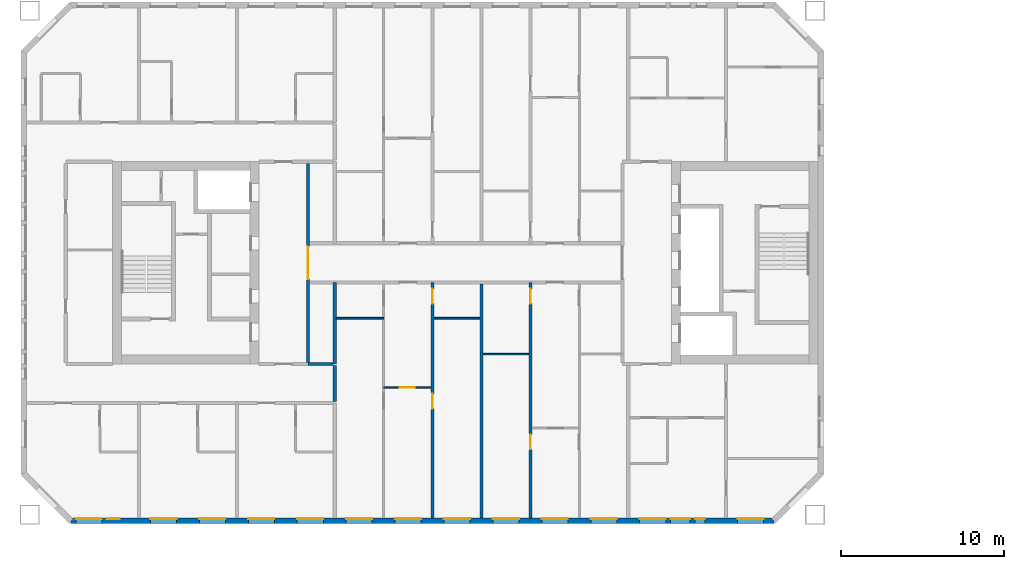
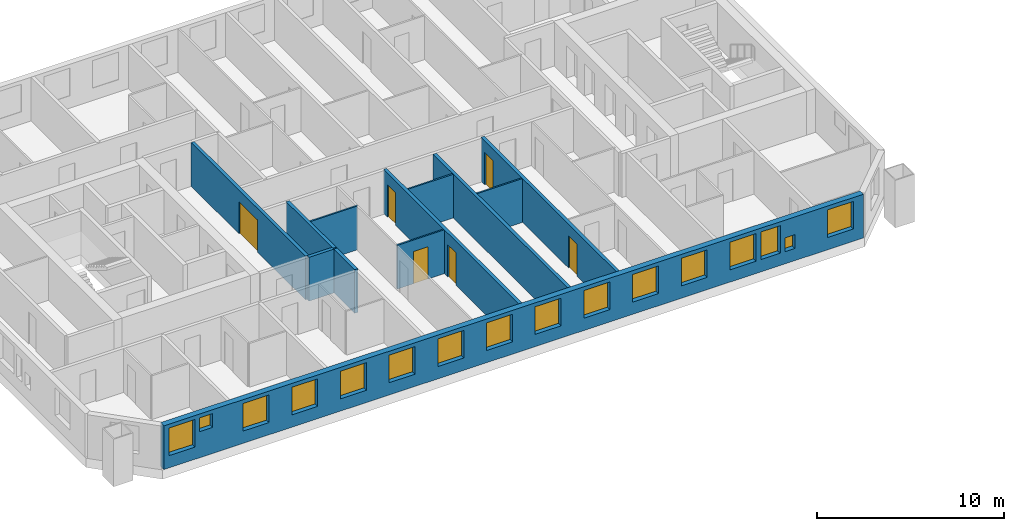
# One storey, part 4 of 17: 16 windows, 12 walls, 6 doors, 22 openings.
"""IFC4 building model written with IfcOpenShell, lengths in metres."""

from ifc_helpers import new_model, si_unit, direction, frame, frame_2d, origin, place, context, subcontext, project, spatial, rectangle, extrude, material, layer, layer_set, type_object, element, fill, save


model = new_model("IFC4")

# Units and contexts
model_context = context("Model", 3, precision=1e-05, world=origin(), true_north=direction((0.0, 1.0)))
body_context = subcontext(model_context, "Body", "Model", "MODEL_VIEW")
ifc_project = project(units=[si_unit("LENGTHUNIT", "METRE"), si_unit("AREAUNIT", "SQUARE_METRE"), si_unit("VOLUMEUNIT", "CUBIC_METRE"), si_unit("PLANEANGLEUNIT", "RADIAN"), si_unit("MASSUNIT", "GRAM", prefix="KILO")], contexts=[model_context])

# Site, building, storey
site_placement = place(None, origin())
site = spatial("IfcSite", under=ifc_project, at=site_placement, CompositionType="ELEMENT")
building_placement = place(site_placement, origin())
building = spatial("IfcBuilding", under=site, at=building_placement, Name="Tuart Gate Housing", CompositionType="ELEMENT")
storey_placement = place(building_placement, frame((0.0, 0.0, 123.699951171875)))
storey = spatial("IfcBuildingStorey", under=building, at=storey_placement, Name="L34", CompositionType="ELEMENT", Elevation=123.699951171875)

# Wall, openings, windows
ifc_material_1 = material(Name="Brick", Category="masonry")
ifc_layer_1 = layer(ifc_material_1, 0.360107421875)
ifc_layer_set_1 = layer_set([ifc_layer_1], Name="Brick pier and spandrel wall 360")
wall_type_1 = type_object("IfcWallType", Name="Brick pier and spandrel wall 360", PredefinedType="STANDARD", material=ifc_layer_set_1)
wall_1_placement = place(storey_placement, frame((29.82470703125, 54.179931640625, 0.0), z_axis=(0.0, 0.0, 1.0), x_axis=(1.0, 0.0, 0.0)))
wall_1 = element("IfcWall", 1, at=wall_1_placement, inside=storey, type_object=wall_type_1, Name="External wall A-S L34", PredefinedType="STANDARD", context=body_context, shape_type="SweptSolid", body=[
    extrude(rectangle(XDim=43.100830078125, YDim=0.360107421875, at=frame_2d((21.55029296875, 0.0))), origin(), (0.0, 0.0, 1.0), 2.85009765625),
])
opening_1_placement = place(wall_1_placement, frame((0.300048828125, 0.0, 0.800048828125)))
opening_1 = element("IfcOpeningElement", 2, at=opening_1_placement, cuts=wall_1, Name="Opening W1", PredefinedType="OPENING", context=body_context, shape_type="SweptSolid", body=[
    extrude(rectangle(XDim=1.60009765625, YDim=1.800048828125, at=frame_2d((0.800048828125, 0.89990234375))), frame((0.0, 0.18994140625, 0.0), z_axis=(0.0, -1.0, 0.0), x_axis=(1.0, 0.0, 0.0)), (0.0, 0.0, 1.0), 0.380126953125),
])
opening_2_placement = place(wall_1_placement, frame((4.87548828125, 0.0, 0.800048828125)))
opening_2 = element("IfcOpeningElement", 3, at=opening_2_placement, cuts=wall_1, Name="Opening W1", PredefinedType="OPENING", context=body_context, shape_type="SweptSolid", body=[
    extrude(rectangle(XDim=1.60009765625, YDim=1.800048828125, at=frame_2d((0.800048828125, 0.89990234375))), frame((0.0, 0.18994140625, 0.0), z_axis=(0.0, -1.0, 0.0), x_axis=(1.0, 0.0, 0.0)), (0.0, 0.0, 1.0), 0.380126953125),
])
opening_3_placement = place(wall_1_placement, frame((7.87548828125, 0.0, 0.800048828125)))
opening_3 = element("IfcOpeningElement", 4, at=opening_3_placement, cuts=wall_1, Name="Opening W1", PredefinedType="OPENING", context=body_context, shape_type="SweptSolid", body=[
    extrude(rectangle(XDim=1.60009765625, YDim=1.800048828125, at=frame_2d((0.800048828125, 0.89990234375))), frame((0.0, 0.18994140625, 0.0), z_axis=(0.0, -1.0, 0.0), x_axis=(1.0, 0.0, 0.0)), (0.0, 0.0, 1.0), 0.380126953125),
])
opening_4_placement = place(wall_1_placement, frame((10.87548828125, 0.0, 0.800048828125)))
opening_4 = element("IfcOpeningElement", 5, at=opening_4_placement, cuts=wall_1, Name="Opening W1", PredefinedType="OPENING", context=body_context, shape_type="SweptSolid", body=[
    extrude(rectangle(XDim=1.60009765625, YDim=1.800048828125, at=frame_2d((0.800048828125, 0.89990234375))), frame((0.0, 0.18994140625, 0.0), z_axis=(0.0, -1.0, 0.0), x_axis=(1.0, 0.0, 0.0)), (0.0, 0.0, 1.0), 0.380126953125),
])
opening_5_placement = place(wall_1_placement, frame((13.87548828125, 0.0, 0.800048828125)))
opening_5 = element("IfcOpeningElement", 6, at=opening_5_placement, cuts=wall_1, Name="Opening W1", PredefinedType="OPENING", context=body_context, shape_type="SweptSolid", body=[
    extrude(rectangle(XDim=1.60009765625, YDim=1.800048828125, at=frame_2d((0.800048828125, 0.89990234375))), frame((0.0, 0.18994140625, 0.0), z_axis=(0.0, -1.0, 0.0), x_axis=(1.0, 0.0, 0.0)), (0.0, 0.0, 1.0), 0.380126953125),
])
opening_6_placement = place(wall_1_placement, frame((16.87548828125, 0.0, 0.800048828125)))
opening_6 = element("IfcOpeningElement", 7, at=opening_6_placement, cuts=wall_1, Name="Opening W1", PredefinedType="OPENING", context=body_context, shape_type="SweptSolid", body=[
    extrude(rectangle(XDim=1.60009765625, YDim=1.800048828125, at=frame_2d((0.800048828125, 0.89990234375))), frame((0.0, 0.18994140625, 0.0), z_axis=(0.0, -1.0, 0.0), x_axis=(1.0, 0.0, 0.0)), (0.0, 0.0, 1.0), 0.380126953125),
])
opening_7_placement = place(wall_1_placement, frame((19.87548828125, 0.0, 0.800048828125)))
opening_7 = element("IfcOpeningElement", 8, at=opening_7_placement, cuts=wall_1, Name="Opening W1", PredefinedType="OPENING", context=body_context, shape_type="SweptSolid", body=[
    extrude(rectangle(XDim=1.60009765625, YDim=1.800048828125, at=frame_2d((0.800048828125, 0.89990234375))), frame((0.0, 0.18994140625, 0.0), z_axis=(0.0, -1.0, 0.0), x_axis=(1.0, 0.0, 0.0)), (0.0, 0.0, 1.0), 0.380126953125),
])
opening_8_placement = place(wall_1_placement, frame((22.87548828125, 0.0, 0.800048828125)))
opening_8 = element("IfcOpeningElement", 9, at=opening_8_placement, cuts=wall_1, Name="Opening W1", PredefinedType="OPENING", context=body_context, shape_type="SweptSolid", body=[
    extrude(rectangle(XDim=1.60009765625, YDim=1.800048828125, at=frame_2d((0.800048828125, 0.89990234375))), frame((0.0, 0.18994140625, 0.0), z_axis=(0.0, -1.0, 0.0), x_axis=(1.0, 0.0, 0.0)), (0.0, 0.0, 1.0), 0.380126953125),
])
opening_9_placement = place(wall_1_placement, frame((25.87548828125, 0.0, 0.800048828125)))
opening_9 = element("IfcOpeningElement", 10, at=opening_9_placement, cuts=wall_1, Name="Opening W1", PredefinedType="OPENING", context=body_context, shape_type="SweptSolid", body=[
    extrude(rectangle(XDim=1.60009765625, YDim=1.800048828125, at=frame_2d((0.800048828125, 0.89990234375))), frame((0.0, 0.18994140625, 0.0), z_axis=(0.0, -1.0, 0.0), x_axis=(1.0, 0.0, 0.0)), (0.0, 0.0, 1.0), 0.380126953125),
])
opening_10_placement = place(wall_1_placement, frame((28.87548828125, 0.0, 0.800048828125)))
opening_10 = element("IfcOpeningElement", 11, at=opening_10_placement, cuts=wall_1, Name="Opening W1", PredefinedType="OPENING", context=body_context, shape_type="SweptSolid", body=[
    extrude(rectangle(XDim=1.60009765625, YDim=1.800048828125, at=frame_2d((0.800048828125, 0.89990234375))), frame((0.0, 0.18994140625, 0.0), z_axis=(0.0, -1.0, 0.0), x_axis=(1.0, 0.0, 0.0)), (0.0, 0.0, 1.0), 0.380126953125),
])
opening_11_placement = place(wall_1_placement, frame((31.87548828125, 0.0, 0.800048828125)))
opening_11 = element("IfcOpeningElement", 12, at=opening_11_placement, cuts=wall_1, Name="Opening W1", PredefinedType="OPENING", context=body_context, shape_type="SweptSolid", body=[
    extrude(rectangle(XDim=1.60009765625, YDim=1.800048828125, at=frame_2d((0.800048828125, 0.89990234375))), frame((0.0, 0.18994140625, 0.0), z_axis=(0.0, -1.0, 0.0), x_axis=(1.0, 0.0, 0.0)), (0.0, 0.0, 1.0), 0.380126953125),
])
opening_12_placement = place(wall_1_placement, frame((34.87548828125, 0.0, 0.800048828125)))
opening_12 = element("IfcOpeningElement", 13, at=opening_12_placement, cuts=wall_1, Name="Opening W1", PredefinedType="OPENING", context=body_context, shape_type="SweptSolid", body=[
    extrude(rectangle(XDim=1.60009765625, YDim=1.800048828125, at=frame_2d((0.800048828125, 0.89990234375))), frame((0.0, 0.18994140625, 0.0), z_axis=(0.0, -1.0, 0.0), x_axis=(1.0, 0.0, 0.0)), (0.0, 0.0, 1.0), 0.380126953125),
])
opening_13_placement = place(wall_1_placement, frame((36.775390625, 0.0, 0.800048828125)))
opening_13 = element("IfcOpeningElement", 14, at=opening_13_placement, cuts=wall_1, Name="Opening W1B", PredefinedType="OPENING", context=body_context, shape_type="SweptSolid", body=[
    extrude(rectangle(XDim=1.199951171875, YDim=1.800048828125, at=frame_2d((0.60009765625, 0.89990234375))), frame((0.0, 0.18994140625, 0.0), z_axis=(0.0, -1.0, 0.0), x_axis=(1.0, 0.0, 0.0)), (0.0, 0.0, 1.0), 0.380126953125),
])
opening_14_placement = place(wall_1_placement, frame((40.87548828125, 0.0, 0.800048828125)))
opening_14 = element("IfcOpeningElement", 15, at=opening_14_placement, cuts=wall_1, Name="Opening W1", PredefinedType="OPENING", context=body_context, shape_type="SweptSolid", body=[
    extrude(rectangle(XDim=1.60009765625, YDim=1.800048828125, at=frame_2d((0.800048828125, 0.89990234375))), frame((0.0, 0.18994140625, 0.0), z_axis=(0.0, -1.0, 0.0), x_axis=(1.0, 0.0, 0.0)), (0.0, 0.0, 1.0), 0.380126953125),
])
opening_15_placement = place(wall_1_placement, frame((2.199951171875, 0.0, 1.699951171875)))
opening_15 = element("IfcOpeningElement", 16, at=opening_15_placement, cuts=wall_1, Name="Opening W1V", PredefinedType="OPENING", context=body_context, shape_type="SweptSolid", body=[
    extrude(rectangle(XDim=0.800048828125, YDim=0.89990234375, at=frame_2d((0.39990234375, 0.449951171875))), frame((0.0, 0.18994140625, 0.0), z_axis=(0.0, -1.0, 0.0), x_axis=(1.0, 0.0, 0.0)), (0.0, 0.0, 1.0), 0.380126953125),
])
opening_16_placement = place(wall_1_placement, frame((38.275390625, 0.0, 0.800048828125)))
opening_16 = element("IfcOpeningElement", 17, at=opening_16_placement, cuts=wall_1, Name="Opening W1W", PredefinedType="OPENING", context=body_context, shape_type="SweptSolid", body=[
    extrude(rectangle(XDim=0.60009765625, YDim=0.89990234375, at=frame_2d((0.300048828125, 0.449951171875))), frame((0.0, 0.18994140625, 0.0), z_axis=(0.0, -1.0, 0.0), x_axis=(1.0, 0.0, 0.0)), (0.0, 0.0, 1.0), 0.380126953125),
])
ifc_material_2 = material(Name="Aluminium frame with clear glass", Category="aluminium")
window_type_1 = type_object("IfcWindowType", Name="Punched window 1200 x 1800", PartitioningType="SINGLE_PANEL", PredefinedType="WINDOW", material=ifc_material_2)
window_1_placement = place(opening_13_placement, origin())
window_1 = element("IfcWindow", 18, at=window_1_placement, inside=storey, type_object=window_type_1, Name="Window W1B", OverallHeight=1.800048828125, OverallWidth=1.199951171875, PartitioningType="SINGLE_PANEL", PredefinedType="WINDOW", context=body_context, shape_type="SweptSolid", body=[
    extrude(rectangle(XDim=1.199951171875, YDim=1.800048828125, at=frame_2d((0.60009765625, 0.89990234375))), frame((0.0, 0.150146484375, 0.0), z_axis=(0.0, -1.0, 0.0), x_axis=(1.0, 0.0, 0.0)), (0.0, 0.0, 1.0), 0.06005859375),
])
fill(opening_13, window_1)
ifc_material_3 = material(Name="Aluminium frame with clear glass", Category="aluminium")
window_type_2 = type_object("IfcWindowType", Name="Punched window 1600 x 1800", PartitioningType="SINGLE_PANEL", PredefinedType="WINDOW", material=ifc_material_3)
window_2_placement = place(opening_1_placement, origin())
window_2 = element("IfcWindow", 19, at=window_2_placement, inside=storey, type_object=window_type_2, Name="Window W1", OverallHeight=1.800048828125, OverallWidth=1.60009765625, PartitioningType="SINGLE_PANEL", PredefinedType="WINDOW", context=body_context, shape_type="SweptSolid", body=[
    extrude(rectangle(XDim=1.60009765625, YDim=1.800048828125, at=frame_2d((0.800048828125, 0.89990234375))), frame((0.0, 0.150146484375, 0.0), z_axis=(0.0, -1.0, 0.0), x_axis=(1.0, 0.0, 0.0)), (0.0, 0.0, 1.0), 0.06005859375),
])
fill(opening_1, window_2)
window_3_placement = place(opening_2_placement, origin())
window_3 = element("IfcWindow", 20, at=window_3_placement, inside=storey, type_object=window_type_2, Name="Window W1", OverallHeight=1.800048828125, OverallWidth=1.60009765625, PartitioningType="SINGLE_PANEL", PredefinedType="WINDOW", context=body_context, shape_type="SweptSolid", body=[
    extrude(rectangle(XDim=1.60009765625, YDim=1.800048828125, at=frame_2d((0.800048828125, 0.89990234375))), frame((0.0, 0.150146484375, 0.0), z_axis=(0.0, -1.0, 0.0), x_axis=(1.0, 0.0, 0.0)), (0.0, 0.0, 1.0), 0.06005859375),
])
fill(opening_2, window_3)
window_4_placement = place(opening_3_placement, origin())
window_4 = element("IfcWindow", 21, at=window_4_placement, inside=storey, type_object=window_type_2, Name="Window W1", OverallHeight=1.800048828125, OverallWidth=1.60009765625, PartitioningType="SINGLE_PANEL", PredefinedType="WINDOW", context=body_context, shape_type="SweptSolid", body=[
    extrude(rectangle(XDim=1.60009765625, YDim=1.800048828125, at=frame_2d((0.800048828125, 0.89990234375))), frame((0.0, 0.150146484375, 0.0), z_axis=(0.0, -1.0, 0.0), x_axis=(1.0, 0.0, 0.0)), (0.0, 0.0, 1.0), 0.06005859375),
])
fill(opening_3, window_4)
window_5_placement = place(opening_4_placement, origin())
window_5 = element("IfcWindow", 22, at=window_5_placement, inside=storey, type_object=window_type_2, Name="Window W1", OverallHeight=1.800048828125, OverallWidth=1.60009765625, PartitioningType="SINGLE_PANEL", PredefinedType="WINDOW", context=body_context, shape_type="SweptSolid", body=[
    extrude(rectangle(XDim=1.60009765625, YDim=1.800048828125, at=frame_2d((0.800048828125, 0.89990234375))), frame((0.0, 0.150146484375, 0.0), z_axis=(0.0, -1.0, 0.0), x_axis=(1.0, 0.0, 0.0)), (0.0, 0.0, 1.0), 0.06005859375),
])
fill(opening_4, window_5)
window_6_placement = place(opening_5_placement, origin())
window_6 = element("IfcWindow", 23, at=window_6_placement, inside=storey, type_object=window_type_2, Name="Window W1", OverallHeight=1.800048828125, OverallWidth=1.60009765625, PartitioningType="SINGLE_PANEL", PredefinedType="WINDOW", context=body_context, shape_type="SweptSolid", body=[
    extrude(rectangle(XDim=1.60009765625, YDim=1.800048828125, at=frame_2d((0.800048828125, 0.89990234375))), frame((0.0, 0.150146484375, 0.0), z_axis=(0.0, -1.0, 0.0), x_axis=(1.0, 0.0, 0.0)), (0.0, 0.0, 1.0), 0.06005859375),
])
fill(opening_5, window_6)
window_7_placement = place(opening_6_placement, origin())
window_7 = element("IfcWindow", 24, at=window_7_placement, inside=storey, type_object=window_type_2, Name="Window W1", OverallHeight=1.800048828125, OverallWidth=1.60009765625, PartitioningType="SINGLE_PANEL", PredefinedType="WINDOW", context=body_context, shape_type="SweptSolid", body=[
    extrude(rectangle(XDim=1.60009765625, YDim=1.800048828125, at=frame_2d((0.800048828125, 0.89990234375))), frame((0.0, 0.150146484375, 0.0), z_axis=(0.0, -1.0, 0.0), x_axis=(1.0, 0.0, 0.0)), (0.0, 0.0, 1.0), 0.06005859375),
])
fill(opening_6, window_7)
window_8_placement = place(opening_7_placement, origin())
window_8 = element("IfcWindow", 25, at=window_8_placement, inside=storey, type_object=window_type_2, Name="Window W1", OverallHeight=1.800048828125, OverallWidth=1.60009765625, PartitioningType="SINGLE_PANEL", PredefinedType="WINDOW", context=body_context, shape_type="SweptSolid", body=[
    extrude(rectangle(XDim=1.60009765625, YDim=1.800048828125, at=frame_2d((0.800048828125, 0.89990234375))), frame((0.0, 0.150146484375, 0.0), z_axis=(0.0, -1.0, 0.0), x_axis=(1.0, 0.0, 0.0)), (0.0, 0.0, 1.0), 0.06005859375),
])
fill(opening_7, window_8)
window_9_placement = place(opening_8_placement, origin())
window_9 = element("IfcWindow", 26, at=window_9_placement, inside=storey, type_object=window_type_2, Name="Window W1", OverallHeight=1.800048828125, OverallWidth=1.60009765625, PartitioningType="SINGLE_PANEL", PredefinedType="WINDOW", context=body_context, shape_type="SweptSolid", body=[
    extrude(rectangle(XDim=1.60009765625, YDim=1.800048828125, at=frame_2d((0.800048828125, 0.89990234375))), frame((0.0, 0.150146484375, 0.0), z_axis=(0.0, -1.0, 0.0), x_axis=(1.0, 0.0, 0.0)), (0.0, 0.0, 1.0), 0.06005859375),
])
fill(opening_8, window_9)
window_10_placement = place(opening_9_placement, origin())
window_10 = element("IfcWindow", 27, at=window_10_placement, inside=storey, type_object=window_type_2, Name="Window W1", OverallHeight=1.800048828125, OverallWidth=1.60009765625, PartitioningType="SINGLE_PANEL", PredefinedType="WINDOW", context=body_context, shape_type="SweptSolid", body=[
    extrude(rectangle(XDim=1.60009765625, YDim=1.800048828125, at=frame_2d((0.800048828125, 0.89990234375))), frame((0.0, 0.150146484375, 0.0), z_axis=(0.0, -1.0, 0.0), x_axis=(1.0, 0.0, 0.0)), (0.0, 0.0, 1.0), 0.06005859375),
])
fill(opening_9, window_10)
window_11_placement = place(opening_10_placement, origin())
window_11 = element("IfcWindow", 28, at=window_11_placement, inside=storey, type_object=window_type_2, Name="Window W1", OverallHeight=1.800048828125, OverallWidth=1.60009765625, PartitioningType="SINGLE_PANEL", PredefinedType="WINDOW", context=body_context, shape_type="SweptSolid", body=[
    extrude(rectangle(XDim=1.60009765625, YDim=1.800048828125, at=frame_2d((0.800048828125, 0.89990234375))), frame((0.0, 0.150146484375, 0.0), z_axis=(0.0, -1.0, 0.0), x_axis=(1.0, 0.0, 0.0)), (0.0, 0.0, 1.0), 0.06005859375),
])
fill(opening_10, window_11)
window_12_placement = place(opening_11_placement, origin())
window_12 = element("IfcWindow", 29, at=window_12_placement, inside=storey, type_object=window_type_2, Name="Window W1", OverallHeight=1.800048828125, OverallWidth=1.60009765625, PartitioningType="SINGLE_PANEL", PredefinedType="WINDOW", context=body_context, shape_type="SweptSolid", body=[
    extrude(rectangle(XDim=1.60009765625, YDim=1.800048828125, at=frame_2d((0.800048828125, 0.89990234375))), frame((0.0, 0.150146484375, 0.0), z_axis=(0.0, -1.0, 0.0), x_axis=(1.0, 0.0, 0.0)), (0.0, 0.0, 1.0), 0.06005859375),
])
fill(opening_11, window_12)
window_13_placement = place(opening_12_placement, origin())
window_13 = element("IfcWindow", 30, at=window_13_placement, inside=storey, type_object=window_type_2, Name="Window W1", OverallHeight=1.800048828125, OverallWidth=1.60009765625, PartitioningType="SINGLE_PANEL", PredefinedType="WINDOW", context=body_context, shape_type="SweptSolid", body=[
    extrude(rectangle(XDim=1.60009765625, YDim=1.800048828125, at=frame_2d((0.800048828125, 0.89990234375))), frame((0.0, 0.150146484375, 0.0), z_axis=(0.0, -1.0, 0.0), x_axis=(1.0, 0.0, 0.0)), (0.0, 0.0, 1.0), 0.06005859375),
])
fill(opening_12, window_13)
window_14_placement = place(opening_14_placement, origin())
window_14 = element("IfcWindow", 31, at=window_14_placement, inside=storey, type_object=window_type_2, Name="Window W1", OverallHeight=1.800048828125, OverallWidth=1.60009765625, PartitioningType="SINGLE_PANEL", PredefinedType="WINDOW", context=body_context, shape_type="SweptSolid", body=[
    extrude(rectangle(XDim=1.60009765625, YDim=1.800048828125, at=frame_2d((0.800048828125, 0.89990234375))), frame((0.0, 0.150146484375, 0.0), z_axis=(0.0, -1.0, 0.0), x_axis=(1.0, 0.0, 0.0)), (0.0, 0.0, 1.0), 0.06005859375),
])
fill(opening_14, window_14)
ifc_material_4 = material(Name="Aluminium frame with clear glass", Category="aluminium")
window_type_3 = type_object("IfcWindowType", Name="Punched window 600 x 900", PartitioningType="SINGLE_PANEL", PredefinedType="WINDOW", material=ifc_material_4)
window_15_placement = place(opening_16_placement, origin())
window_15 = element("IfcWindow", 32, at=window_15_placement, inside=storey, type_object=window_type_3, Name="Window W1W", OverallHeight=0.89990234375, OverallWidth=0.60009765625, PartitioningType="SINGLE_PANEL", PredefinedType="WINDOW", context=body_context, shape_type="SweptSolid", body=[
    extrude(rectangle(XDim=0.60009765625, YDim=0.89990234375, at=frame_2d((0.300048828125, 0.449951171875))), frame((0.0, 0.150146484375, 0.0), z_axis=(0.0, -1.0, 0.0), x_axis=(1.0, 0.0, 0.0)), (0.0, 0.0, 1.0), 0.06005859375),
])
fill(opening_16, window_15)
ifc_material_5 = material(Name="Aluminium frame with clear glass", Category="aluminium")
window_type_4 = type_object("IfcWindowType", Name="Punched window 800 x 900", PartitioningType="SINGLE_PANEL", PredefinedType="WINDOW", material=ifc_material_5)
window_16_placement = place(opening_15_placement, origin())
window_16 = element("IfcWindow", 33, at=window_16_placement, inside=storey, type_object=window_type_4, Name="Window W1V", OverallHeight=0.89990234375, OverallWidth=0.800048828125, PartitioningType="SINGLE_PANEL", PredefinedType="WINDOW", context=body_context, shape_type="SweptSolid", body=[
    extrude(rectangle(XDim=0.800048828125, YDim=0.89990234375, at=frame_2d((0.39990234375, 0.449951171875))), frame((0.0, 0.150146484375, 0.0), z_axis=(0.0, -1.0, 0.0), x_axis=(1.0, 0.0, 0.0)), (0.0, 0.0, 1.0), 0.06005859375),
])
fill(opening_15, window_16)

# Walls
ifc_material_6 = material(Name="Concrete masonry 15 MPa", Category="masonry")
ifc_layer_2 = layer(ifc_material_6, 0.199951171875)
ifc_layer_set_2 = layer_set([ifc_layer_2], Name="Corridor wall masonry 200")
wall_type_2 = type_object("IfcWallType", Name="Corridor wall masonry 200", PredefinedType="PARTITIONING", material=ifc_layer_set_2)
wall_2_placement = place(storey_placement, frame((44.360107421875, 63.800048828125, 0.0), z_axis=(0.0, 0.0, 1.0), x_axis=(1.0, 0.0, 0.0)))
element("IfcWall", 34, at=wall_2_placement, inside=storey, type_object=wall_type_2, Name="Corridor wall masonry 200", PredefinedType="PARTITIONING", context=body_context, shape_type="SweptSolid", body=[
    extrude(rectangle(XDim=1.539794921875, YDim=0.199951171875, at=frame_2d((0.77001953125, 0.0))), origin(), (0.0, 0.0, 1.0), 2.85009765625),
])
wall_3_placement = place(storey_placement, frame((46.0, 61.5, 0.0), z_axis=(0.0, 0.0, 1.0), x_axis=(0.0, 1.0, 0.0)))
element("IfcWall", 35, at=wall_3_placement, inside=storey, type_object=wall_type_2, Name="Corridor wall masonry 200", PredefinedType="PARTITIONING", context=body_context, shape_type="SweptSolid", body=[
    extrude(rectangle(XDim=2.199951171875, YDim=0.199951171875, at=frame_2d((1.10009765625, 0.0))), origin(), (0.0, 0.0, 1.0), 2.85009765625),
])

# Wall, opening, door
ifc_material_7 = material(Name="Plasterboard partition")
ifc_layer_3 = layer(ifc_material_7, 0.199951171875)
ifc_layer_set_3 = layer_set([ifc_layer_3], Name="Lobby wall 200")
wall_type_3 = type_object("IfcWallType", Name="Lobby wall 200", PredefinedType="PARTITIONING", material=ifc_layer_set_3)
wall_4_placement = place(storey_placement, frame((44.360107421875, 63.89990234375, 0.0), z_axis=(0.0, 0.0, 1.0), x_axis=(0.0, 1.0, 0.0)))
wall_4 = element("IfcWall", 36, at=wall_4_placement, inside=storey, type_object=wall_type_3, Name="Lift lobby wall AK", PredefinedType="PARTITIONING", context=body_context, shape_type="SweptSolid", body=[
    extrude(rectangle(XDim=12.2001953125, YDim=0.199951171875, at=frame_2d((6.10009765625, 0.0))), origin(), (0.0, 0.0, 1.0), 2.85009765625),
])
opening_17_placement = place(wall_4_placement, frame((5.10009765625, 0.0, 0.0)))
opening_17 = element("IfcOpeningElement", 37, at=opening_17_placement, cuts=wall_4, Name="Opening D1322", PredefinedType="OPENING", context=body_context, shape_type="SweptSolid", body=[
    extrude(rectangle(XDim=2.0, YDim=2.10009765625, at=frame_2d((1.0, 1.050048828125))), frame((0.0, 0.10986328125, 0.0), z_axis=(0.0, -1.0, 0.0), x_axis=(1.0, 0.0, 0.0)), (0.0, 0.0, 1.0), 0.219970703125),
])
ifc_material_8 = material(Name="Steel fire door", Category="steel")
door_type_1 = type_object("IfcDoorType", Name="Smoke door 2000 x 2100", OperationType="DOUBLE_DOOR_SINGLE_SWING", PredefinedType="DOOR", material=ifc_material_8)
door_1_placement = place(opening_17_placement, origin())
door_1 = element("IfcDoor", 38, at=door_1_placement, inside=storey, type_object=door_type_1, Name="Lift lobby smoke door AK", OperationType="DOUBLE_DOOR_SINGLE_SWING", OverallHeight=2.10009765625, OverallWidth=2.0, PredefinedType="DOOR", context=body_context, shape_type="SweptSolid", body=[
    extrude(rectangle(XDim=2.0, YDim=2.10009765625, at=frame_2d((1.0, 1.050048828125))), frame((0.0, 0.02490234375, 0.0), z_axis=(0.0, -1.0, 0.0), x_axis=(1.0, 0.0, 0.0)), (0.0, 0.0, 1.0), 0.050048828125),
])
fill(opening_17, door_1)

ifc_material_9 = material(Name="Gypsum board on steel studs", Category="steel")
ifc_layer_4 = layer(ifc_material_9, 0.10009765625)
ifc_layer_set_4 = layer_set([ifc_layer_4], Name="Partition 100")
wall_type_4 = type_object("IfcWallType", Name="Partition 100", PredefinedType="PARTITIONING", material=ifc_layer_set_4)
wall_5_placement = place(storey_placement, frame((49.0, 62.360107421875, 0.0), z_axis=(0.0, 0.0, 1.0), x_axis=(1.0, 0.0, 0.0)))
wall_5 = element("IfcWall", 39, at=wall_5_placement, inside=storey, type_object=wall_type_4, Name="Partition 100", PredefinedType="PARTITIONING", context=body_context, shape_type="SweptSolid", body=[
    extrude(rectangle(XDim=2.89990234375, YDim=0.10009765625, at=frame_2d((1.449951171875, 0.0))), origin(), (0.0, 0.0, 1.0), 2.85009765625),
])
opening_18_placement = place(wall_5_placement, frame((1.0, 0.0, 0.0)))
opening_18 = element("IfcOpeningElement", 40, at=opening_18_placement, cuts=wall_5, Name="Opening D1331", PredefinedType="OPENING", context=body_context, shape_type="SweptSolid", body=[
    extrude(rectangle(XDim=0.89990234375, YDim=2.10009765625, at=frame_2d((0.449951171875, 1.050048828125))), frame((0.0, 0.06005859375, 0.0), z_axis=(0.0, -1.0, 0.0), x_axis=(1.0, 0.0, 0.0)), (0.0, 0.0, 1.0), 0.1201171875),
])
ifc_material_10 = material(Name="Timber door leaf in steel frame", Category="steel")
door_type_2 = type_object("IfcDoorType", Name="Internal door 900", OperationType="SINGLE_SWING_LEFT", PredefinedType="DOOR", material=ifc_material_10)
door_2_placement = place(opening_18_placement, origin())
door_2 = element("IfcDoor", 41, at=door_2_placement, inside=storey, type_object=door_type_2, Name="Internal door", OperationType="SINGLE_SWING_LEFT", OverallHeight=2.10009765625, OverallWidth=0.89990234375, PredefinedType="DOOR", context=body_context, shape_type="SweptSolid", body=[
    extrude(rectangle(XDim=0.89990234375, YDim=2.10009765625, at=frame_2d((0.449951171875, 1.050048828125))), frame((0.0, 0.02490234375, 0.0), z_axis=(0.0, -1.0, 0.0), x_axis=(1.0, 0.0, 0.0)), (0.0, 0.0, 1.0), 0.050048828125),
])
fill(opening_18, door_2)

# Walls
wall_6_placement = place(storey_placement, frame((55.10009765625, 64.39990234375, 0.0), z_axis=(0.0, 0.0, 1.0), x_axis=(1.0, 0.0, 0.0)))
element("IfcWall", 42, at=wall_6_placement, inside=storey, type_object=wall_type_4, Name="Partition 100", PredefinedType="PARTITIONING", context=body_context, shape_type="SweptSolid", body=[
    extrude(rectangle(XDim=2.7998046875, YDim=0.10009765625, at=frame_2d((1.39990234375, 0.0))), origin(), (0.0, 0.0, 1.0), 2.85009765625),
])
wall_7_placement = place(storey_placement, frame((46.10009765625, 66.60009765625, 0.0), z_axis=(0.0, 0.0, 1.0), x_axis=(1.0, 0.0, 0.0)))
element("IfcWall", 43, at=wall_7_placement, inside=storey, type_object=wall_type_4, Name="Partition 100", PredefinedType="PARTITIONING", context=body_context, shape_type="SweptSolid", body=[
    extrude(rectangle(XDim=2.89990234375, YDim=0.10009765625, at=frame_2d((1.449951171875, 0.0))), origin(), (0.0, 0.0, 1.0), 2.85009765625),
])
wall_8_placement = place(storey_placement, frame((52.10009765625, 66.60009765625, 0.0), z_axis=(0.0, 0.0, 1.0), x_axis=(1.0, 0.0, 0.0)))
element("IfcWall", 44, at=wall_8_placement, inside=storey, type_object=wall_type_4, Name="Partition 100", PredefinedType="PARTITIONING", context=body_context, shape_type="SweptSolid", body=[
    extrude(rectangle(XDim=2.7998046875, YDim=0.10009765625, at=frame_2d((1.39990234375, 0.0))), origin(), (0.0, 0.0, 1.0), 2.85009765625),
])
ifc_material_11 = material(Name="Concrete C40", Category="concrete")
ifc_layer_5 = layer(ifc_material_11, 0.199951171875)
ifc_layer_set_5 = layer_set([ifc_layer_5], Name="Party wall concrete C40 200")
wall_type_5 = type_object("IfcWallType", Name="Party wall concrete C40 200", PredefinedType="SOLIDWALL", material=ifc_layer_set_5)
wall_9_placement = place(storey_placement, frame((46.0, 63.800048828125, 0.0), z_axis=(0.0, 0.0, 1.0), x_axis=(0.0, 1.0, 0.0)))
element("IfcWall", 45, at=wall_9_placement, inside=storey, type_object=wall_type_5, Name="Party wall concrete C40 200", PredefinedType="SOLIDWALL", context=body_context, shape_type="SweptSolid", body=[
    extrude(rectangle(XDim=5.0, YDim=0.199951171875, at=frame_2d((2.5, 0.0))), origin(), (0.0, 0.0, 1.0), 2.85009765625),
])

# Wall, openings, doors
wall_10_placement = place(storey_placement, frame((52.0, 54.360107421875, 0.0), z_axis=(0.0, 0.0, 1.0), x_axis=(0.0, 1.0, 0.0)))
wall_10 = element("IfcWall", 46, at=wall_10_placement, inside=storey, type_object=wall_type_5, Name="Party wall concrete C40 200", PredefinedType="SOLIDWALL", context=body_context, shape_type="SweptSolid", body=[
    extrude(rectangle(XDim=14.43994140625, YDim=0.199951171875, at=frame_2d((7.219970703125, 0.0))), origin(), (0.0, 0.0, 1.0), 2.85009765625),
])
opening_19_placement = place(wall_10_placement, frame((6.699951171875, 0.0, 0.0)))
opening_19 = element("IfcOpeningElement", 47, at=opening_19_placement, cuts=wall_10, Name="Opening D1333", PredefinedType="OPENING", context=body_context, shape_type="SweptSolid", body=[
    extrude(rectangle(XDim=0.89990234375, YDim=2.10009765625, at=frame_2d((0.449951171875, 1.050048828125))), frame((0.0, 0.10986328125, 0.0), z_axis=(0.0, -1.0, 0.0), x_axis=(1.0, 0.0, 0.0)), (0.0, 0.0, 1.0), 0.219970703125),
])
opening_20_placement = place(wall_10_placement, frame((13.139892578125, 0.0, 0.0)))
opening_20 = element("IfcOpeningElement", 48, at=opening_20_placement, cuts=wall_10, Name="Opening D1332", PredefinedType="OPENING", context=body_context, shape_type="SweptSolid", body=[
    extrude(rectangle(XDim=0.89990234375, YDim=2.10009765625, at=frame_2d((0.449951171875, 1.050048828125))), frame((0.0, 0.10986328125, 0.0), z_axis=(0.0, -1.0, 0.0), x_axis=(1.0, 0.0, 0.0)), (0.0, 0.0, 1.0), 0.219970703125),
])
ifc_material_12 = material(Name="Timber door leaf in steel frame", Category="steel")
door_type_3 = type_object("IfcDoorType", Name="Bathroom door 900", OperationType="SINGLE_SWING_LEFT", PredefinedType="DOOR", material=ifc_material_12)
door_3_placement = place(opening_20_placement, frame((0.89990234375, 0.0, 0.0), z_axis=(0.0, 0.0, 1.0), x_axis=(-1.0, 0.0, 0.0)))
door_3 = element("IfcDoor", 49, at=door_3_placement, inside=storey, type_object=door_type_3, Name="Bathroom door", OperationType="SINGLE_SWING_LEFT", OverallHeight=2.10009765625, OverallWidth=0.89990234375, PredefinedType="DOOR", context=body_context, shape_type="SweptSolid", body=[
    extrude(rectangle(XDim=0.89990234375, YDim=2.10009765625, at=frame_2d((0.449951171875, 1.050048828125))), frame((0.0, 0.025146484375, 0.0), z_axis=(0.0, -1.0, 0.0), x_axis=(1.0, 0.0, 0.0)), (0.0, 0.0, 1.0), 0.050048828125),
])
fill(opening_20, door_3)
door_4_placement = place(opening_19_placement, frame((0.89990234375, 0.0, 0.0), z_axis=(0.0, 0.0, 1.0), x_axis=(-1.0, 0.0, 0.0)))
door_4 = element("IfcDoor", 50, at=door_4_placement, inside=storey, type_object=door_type_2, Name="Internal door", OperationType="SINGLE_SWING_LEFT", OverallHeight=2.10009765625, OverallWidth=0.89990234375, PredefinedType="DOOR", context=body_context, shape_type="SweptSolid", body=[
    extrude(rectangle(XDim=0.89990234375, YDim=2.10009765625, at=frame_2d((0.449951171875, 1.050048828125))), frame((0.0, 0.025146484375, 0.0), z_axis=(0.0, -1.0, 0.0), x_axis=(1.0, 0.0, 0.0)), (0.0, 0.0, 1.0), 0.050048828125),
])
fill(opening_19, door_4)

wall_11_placement = place(storey_placement, frame((58.0, 54.360107421875, 0.0), z_axis=(0.0, 0.0, 1.0), x_axis=(0.0, 1.0, 0.0)))
wall_11 = element("IfcWall", 51, at=wall_11_placement, inside=storey, type_object=wall_type_5, Name="Party wall concrete C40 200", PredefinedType="SOLIDWALL", context=body_context, shape_type="SweptSolid", body=[
    extrude(rectangle(XDim=14.43994140625, YDim=0.199951171875, at=frame_2d((7.219970703125, 0.0))), origin(), (0.0, 0.0, 1.0), 2.85009765625),
])
opening_21_placement = place(wall_11_placement, frame((4.199951171875, 0.0, 0.0)))
opening_21 = element("IfcOpeningElement", 52, at=opening_21_placement, cuts=wall_11, Name="Opening D1335", PredefinedType="OPENING", context=body_context, shape_type="SweptSolid", body=[
    extrude(rectangle(XDim=0.89990234375, YDim=2.10009765625, at=frame_2d((0.449951171875, 1.050048828125))), frame((0.0, 0.10986328125, 0.0), z_axis=(0.0, -1.0, 0.0), x_axis=(1.0, 0.0, 0.0)), (0.0, 0.0, 1.0), 0.219970703125),
])
opening_22_placement = place(wall_11_placement, frame((13.139892578125, 0.0, 0.0)))
opening_22 = element("IfcOpeningElement", 53, at=opening_22_placement, cuts=wall_11, Name="Opening D1334", PredefinedType="OPENING", context=body_context, shape_type="SweptSolid", body=[
    extrude(rectangle(XDim=0.89990234375, YDim=2.10009765625, at=frame_2d((0.449951171875, 1.050048828125))), frame((0.0, 0.10986328125, 0.0), z_axis=(0.0, -1.0, 0.0), x_axis=(1.0, 0.0, 0.0)), (0.0, 0.0, 1.0), 0.219970703125),
])
ifc_material_13 = material(Name="Timber door leaf in steel frame", Category="steel")
door_type_4 = type_object("IfcDoorType", Name="Bathroom door 900 RH", OperationType="SINGLE_SWING_RIGHT", PredefinedType="DOOR", material=ifc_material_13)
door_5_placement = place(opening_22_placement, origin())
door_5 = element("IfcDoor", 54, at=door_5_placement, inside=storey, type_object=door_type_4, Name="Bathroom door", OperationType="SINGLE_SWING_RIGHT", OverallHeight=2.10009765625, OverallWidth=0.89990234375, PredefinedType="DOOR", context=body_context, shape_type="SweptSolid", body=[
    extrude(rectangle(XDim=0.89990234375, YDim=2.10009765625, at=frame_2d((0.449951171875, 1.050048828125))), frame((0.0, 0.02490234375, 0.0), z_axis=(0.0, -1.0, 0.0), x_axis=(1.0, 0.0, 0.0)), (0.0, 0.0, 1.0), 0.050048828125),
])
fill(opening_22, door_5)
door_6_placement = place(opening_21_placement, origin())
door_6 = element("IfcDoor", 55, at=door_6_placement, inside=storey, type_object=door_type_2, Name="Internal door", OperationType="SINGLE_SWING_LEFT", OverallHeight=2.10009765625, OverallWidth=0.89990234375, PredefinedType="DOOR", context=body_context, shape_type="SweptSolid", body=[
    extrude(rectangle(XDim=0.89990234375, YDim=2.10009765625, at=frame_2d((0.449951171875, 1.050048828125))), frame((0.0, 0.02490234375, 0.0), z_axis=(0.0, -1.0, 0.0), x_axis=(1.0, 0.0, 0.0)), (0.0, 0.0, 1.0), 0.050048828125),
])
fill(opening_21, door_6)

# Wall
ifc_material_14 = material(Name="Concrete masonry 15 MPa", Category="masonry")
ifc_layer_6 = layer(ifc_material_14, 0.199951171875)
ifc_layer_set_6 = layer_set([ifc_layer_6], Name="Party wall masonry 200")
wall_type_6 = type_object("IfcWallType", Name="Party wall masonry 200", PredefinedType="PARTITIONING", material=ifc_layer_set_6)
wall_12_placement = place(storey_placement, frame((55.0, 54.360107421875, 0.0), z_axis=(0.0, 0.0, 1.0), x_axis=(0.0, 1.0, 0.0)))
element("IfcWall", 56, at=wall_12_placement, inside=storey, type_object=wall_type_6, Name="Party wall masonry 200", PredefinedType="PARTITIONING", context=body_context, shape_type="SweptSolid", body=[
    extrude(rectangle(XDim=14.33984375, YDim=0.199951171875, at=frame_2d((7.169921875, 0.0))), origin(), (0.0, 0.0, 1.0), 2.85009765625),
])

save(model, "model.ifc")
